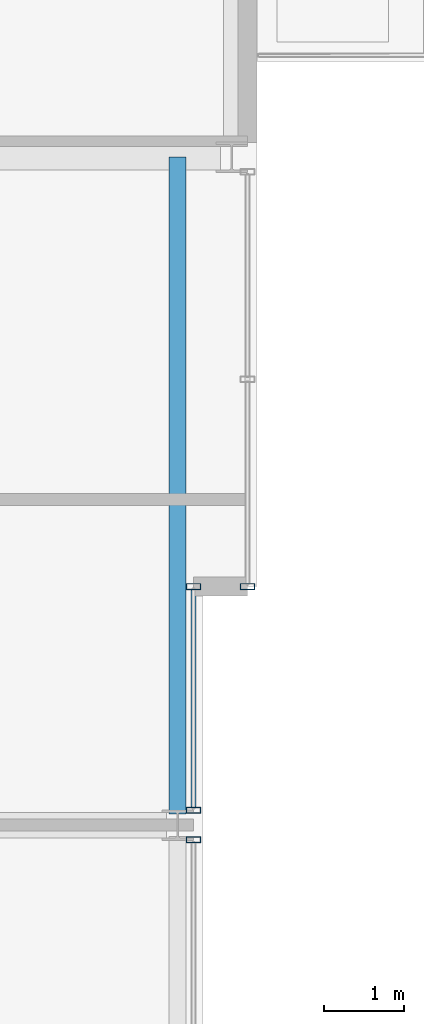
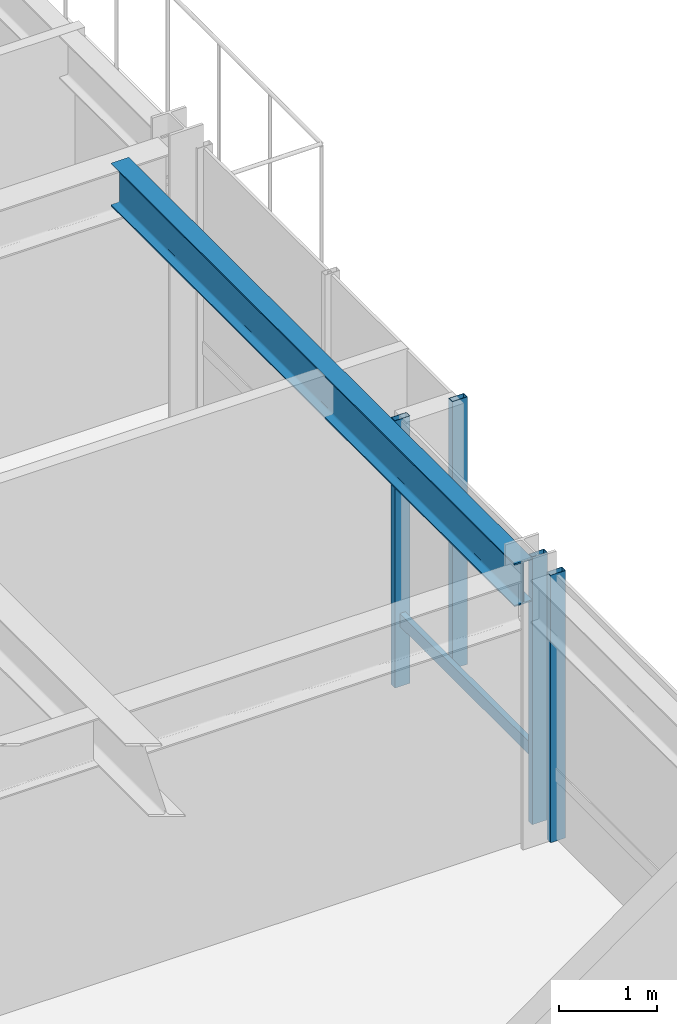
# One storey, part 17 of 34: 5 members, 1 beam, 3 elements without a shape of their own.
"""IFC4 building model written with IfcOpenShell, lengths in metres."""

import ifcopenshell
import ifcopenshell.guid

model = None  # the IFC model being written
_history = None  # IfcOwnerHistory: only IFC2X3 demands one
_inside = {}  # id of a spatial element -> (the spatial element, [elements in it])
_under = {}  # id of a project, library or spatial element -> (it, [spatial elements below it])
_declared = {}  # id of a project -> (the project, [libraries it declares])
_typed = {}  # id of a type object -> (the type object, [elements of that type])
_made_of = {}  # id of a material, layer set ... -> (it, [elements and type objects made of it])


def new_model(schema):
    """Start an empty IFC model of exactly this schema.

    Asked for "IFC4X3", IfcOpenShell would pick the latest addendum, in which some entities
    have other attributes; the version numbers below select the first issue.
    IFC2X3 requires an IfcOwnerHistory on every rooted entity: one is made here for all.
    """
    global model, _history
    if schema == "IFC4X3":
        model = ifcopenshell.file(schema_version=(4, 3, 0, 0))
    else:
        model = ifcopenshell.file(schema=schema)
    _inside.clear()
    _under.clear()
    _declared.clear()
    _typed.clear()
    _made_of.clear()
    _history = None
    if model.schema == "IFC2X3":
        org = make("IfcOrganization", Name="unknown")
        user = make(
            "IfcPersonAndOrganization",
            ThePerson=make("IfcPerson", FamilyName="unknown"),
            TheOrganization=org,
        )
        app = make(
            "IfcApplication",
            ApplicationDeveloper=org,
            Version="unknown",
            ApplicationFullName="unknown",
            ApplicationIdentifier="unknown",
        )
        _history = make(
            "IfcOwnerHistory",
            OwningUser=user,
            OwningApplication=app,
            ChangeAction="ADDED",
            CreationDate=0,
        )
    return model


def make(cls, **values):
    """One entity of the class cls with the attributes given. An attribute that is None is left unset."""
    return model.create_entity(
        cls, **{name: value for name, value in values.items() if value is not None}
    )


def rooted(cls, **values):
    """An entity with a GlobalId (a new one), such as an element, a storey or a relation."""
    return make(cls, GlobalId=ifcopenshell.guid.new(), OwnerHistory=_history, **values)


def si_unit(unit_type, name, prefix=None):
    """IfcSIUnit, for example si_unit("LENGTHUNIT", "METRE", prefix="MILLI")."""
    return make("IfcSIUnit", UnitType=unit_type, Prefix=prefix, Name=name)


def assignment(units):
    """IfcUnitAssignment: the units of a project."""
    return None if units is None else make("IfcUnitAssignment", Units=units)


def point(xyz):
    """IfcCartesianPoint."""
    return None if xyz is None else make("IfcCartesianPoint", Coordinates=xyz)


def direction(xyz):
    """IfcDirection."""
    return None if xyz is None else make("IfcDirection", DirectionRatios=xyz)


def frame(location, z_axis=None, x_axis=None):
    """IfcAxis2Placement3D, a coordinate frame: its origin and axes. An axis left out is left unset."""
    return make(
        "IfcAxis2Placement3D",
        Location=point(location),
        Axis=direction(z_axis),
        RefDirection=direction(x_axis),
    )


def frame_2d(location, x_axis=None):
    """IfcAxis2Placement2D, a coordinate frame in the plane: its origin and x axis."""
    return make(
        "IfcAxis2Placement2D", Location=point(location), RefDirection=direction(x_axis)
    )


def origin():
    """The frame at (0, 0, 0) with its axes left unset."""
    return frame((0.0, 0.0, 0.0))


def origin_2d():
    """The frame at (0, 0) in the plane with its x axis left unset."""
    return frame_2d((0.0, 0.0))


def place(relative_to, where):
    """IfcLocalPlacement: puts the frame where relative to a parent placement (None: the world)."""
    return make(
        "IfcLocalPlacement", PlacementRelTo=relative_to, RelativePlacement=where
    )


def context(
    kind, dimensions, precision=None, world=None, true_north=None, identifier=None
):
    """IfcGeometricRepresentationContext, for example the 3D "Model" context."""
    return make(
        "IfcGeometricRepresentationContext",
        ContextIdentifier=identifier,
        ContextType=kind,
        CoordinateSpaceDimension=dimensions,
        Precision=precision,
        WorldCoordinateSystem=world,
        TrueNorth=true_north,
    )


def subcontext(parent, identifier, kind, view, scale=None):
    """IfcGeometricRepresentationSubContext, for example "Body" below "Model"."""
    return make(
        "IfcGeometricRepresentationSubContext",
        ContextIdentifier=identifier,
        ContextType=kind,
        ParentContext=parent,
        TargetScale=scale,
        TargetView=view,
    )


def project(units=None, contexts=None):
    """IfcProject with its units and contexts."""
    return rooted(
        "IfcProject",
        Name="project",
        RepresentationContexts=contexts,
        UnitsInContext=assignment(units),
    )


def spatial(cls, under=None, at=None, **own):
    """A site, building, storey or space (cls), placed at a placement, below another one or the project."""
    s = rooted(cls, ObjectPlacement=at, **own)
    if under is not None:
        _under.setdefault(under.id(), (under, []))[1].append(s)
    return s


def profile(cls, at=None, kind="AREA", **sizes):
    """A parametric profile (cls). Its sizes go by their IFC names, for example OverallWidth=200.0."""
    return make(cls, ProfileType=kind, Position=at, **sizes)


def hollow_rectangle(**sizes):
    """IfcRectangleHollowProfileDef."""
    return profile("IfcRectangleHollowProfileDef", **sizes)


def i_section(**sizes):
    """IfcIShapeProfileDef."""
    return profile("IfcIShapeProfileDef", **sizes)


def extrude(swept, where, along, depth):
    """IfcExtrudedAreaSolid: the profile swept, set in the frame where, extruded along a direction by depth."""
    return make(
        "IfcExtrudedAreaSolid",
        SweptArea=swept,
        Position=where,
        ExtrudedDirection=direction(along),
        Depth=depth,
    )


def shape(context_of_items, identifier, shape_type, items):
    """IfcShapeRepresentation: the items that make up one representation, for example the "Body"."""
    return make(
        "IfcShapeRepresentation",
        ContextOfItems=context_of_items,
        RepresentationIdentifier=identifier,
        RepresentationType=shape_type,
        Items=items,
    )


def material(Name=None, Category=None):
    """IfcMaterial."""
    return make("IfcMaterial", Name=Name, Category=Category)


def layer(
    of_material, thickness, ventilated=None, Name=None, Category=None, Priority=None
):
    """IfcMaterialLayer: one layer of a wall or slab, of a material (None: an air gap)."""
    return make(
        "IfcMaterialLayer",
        Material=of_material,
        LayerThickness=thickness,
        IsVentilated=ventilated,
        Name=Name,
        Category=Category,
        Priority=Priority,
    )


def layer_set(layers, Name=None):
    """IfcMaterialLayerSet."""
    return make("IfcMaterialLayerSet", MaterialLayers=layers, LayerSetName=Name)


def material_profile(
    of_material, cross_section, Name=None, Category=None, Priority=None
):
    """IfcMaterialProfile: a cross section and its material."""
    return make(
        "IfcMaterialProfile",
        Name=Name,
        Material=of_material,
        Profile=cross_section,
        Priority=Priority,
        Category=Category,
    )


def profile_set(profiles, Name=None, composite=None):
    """IfcMaterialProfileSet."""
    return make(
        "IfcMaterialProfileSet",
        Name=Name,
        MaterialProfiles=profiles,
        CompositeProfile=composite,
    )


def made_of(thing, what):
    """Note that an element or type object is made of a material, layer set ...; save() writes the relation."""
    if what is not None:
        _made_of.setdefault(what.id(), (what, []))[1].append(thing)
    return thing


def type_object(cls, material=None, **own):
    """A type object (cls), such as IfcWallType, which elements share."""
    return made_of(rooted(cls, **own), material)


def element(
    cls,
    number,
    at=None,
    inside=None,
    cuts=None,
    type_object=None,
    material=None,
    context=None,
    identifier="Body",
    shape_type=None,
    held_by="IfcProductDefinitionShape",
    body=None,
    shapes=None,
    **own,
):
    """One element of the class cls, such as IfcWall. Its Tag is "e" and its number.

    at: its placement. inside: the storey or other place that contains it. cuts: it is an
    opening in that element (IfcRelVoidsElement). A single representation is given by context,
    identifier, shape_type and body (its items); several are given by shapes. held_by: the class
    of the entity that holds the representations. save() writes the other relations.
    """
    e = rooted(cls, Tag="e%d" % number, ObjectPlacement=at, **own)
    if body is not None:
        shapes = [shape(context, identifier, shape_type, body)]
    if shapes is not None:
        e.Representation = make(held_by, Representations=shapes)
    if inside is not None:
        _inside.setdefault(inside.id(), (inside, []))[1].append(e)
    if cuts is not None:
        rooted(
            "IfcRelVoidsElement", RelatingBuildingElement=cuts, RelatedOpeningElement=e
        )
    if type_object is not None:
        _typed.setdefault(type_object.id(), (type_object, []))[1].append(e)
    return made_of(e, material)


def aggregate(whole, parts):
    """IfcRelAggregates: a whole, such as a stair, and the parts it consists of."""
    return rooted("IfcRelAggregates", RelatingObject=whole, RelatedObjects=parts)


def save(model, path):
    """Write the relations noted so far, then the file.

    IfcRelAggregates (storeys below a building ...), IfcRelContainedInSpatialStructure (elements
    in a storey), IfcRelDefinesByType, IfcRelAssociatesMaterial and IfcRelDeclares: one each for
    every whole, place, type object, material and project.
    """
    for whole, parts in _under.values():
        aggregate(whole, parts)
    for where, things in _inside.values():
        rooted(
            "IfcRelContainedInSpatialStructure",
            RelatedElements=things,
            RelatingStructure=where,
        )
    for kind, things in _typed.values():
        rooted("IfcRelDefinesByType", RelatedObjects=things, RelatingType=kind)
    for what, things in _made_of.values():
        rooted("IfcRelAssociatesMaterial", RelatedObjects=things, RelatingMaterial=what)
    for by, libraries in _declared.values():
        rooted("IfcRelDeclares", RelatingContext=by, RelatedDefinitions=libraries)
    model.write(path)


model = new_model("IFC4")

# Units and contexts
model_context = context("Model", 3, precision=1e-05, world=origin(), true_north=direction((0.0, 1.0)))
body_context = subcontext(model_context, "Body", "Model", "MODEL_VIEW")
ifc_project = project(units=[si_unit("LENGTHUNIT", "METRE"), si_unit("AREAUNIT", "SQUARE_METRE"), si_unit("VOLUMEUNIT", "CUBIC_METRE"), si_unit("PLANEANGLEUNIT", "RADIAN"), si_unit("MASSUNIT", "GRAM", prefix="KILO")], contexts=[model_context])

# Site, building, storey
site_placement = place(None, origin())
site = spatial("IfcSite", under=ifc_project, at=site_placement, CompositionType="ELEMENT")
building_placement = place(site_placement, origin())
building = spatial("IfcBuilding", under=site, at=building_placement, Name="Drelvath Grand Hotel", CompositionType="ELEMENT")
storey_placement = place(building_placement, frame((0.0, 0.0, 208.699951171875)))
storey = spatial("IfcBuildingStorey", under=building, at=storey_placement, Name="L54", CompositionType="ELEMENT", Elevation=208.699951171875)

# Curtain wall, member
ifc_material_1 = material(Name="Platinum-Mist Anodised Aluminium Frame", Category="aluminium")
ifc_layer = layer(ifc_material_1, 0.199951171875)
ifc_layer_set = layer_set([ifc_layer], Name="Platinum-Mist Anodised Aluminium Frame")
curtain_wall_type = type_object("IfcCurtainWallType", Name="Stick Curtain Wall CW-05 Platinum Mist High-Rise", PredefinedType="NOTDEFINED", material=ifc_layer_set)
curtain_wall_1_placement = place(storey_placement, origin())
curtain_wall_1 = element("IfcCurtainWall", 1, at=curtain_wall_1_placement, inside=storey, type_object=curtain_wall_type, Name="L54 CW-05 Curtain Wall CW05-L54-EM2", PredefinedType="NOTDEFINED")
ifc_material_profile_1 = material_profile(ifc_material_1, hollow_rectangle(XDim=0.06494140625, YDim=0.159912109375, WallThickness=0.00390625, at=origin_2d()), Name="HSS160X65X4")
ifc_profile_set_1 = profile_set([ifc_material_profile_1], Name="Platinum-Mist Anodised Aluminium Frame")
member_type_1 = type_object("IfcMemberType", Name="Curtain Wall Horizontal Transom CW-05 HSS160X65X4", PredefinedType="USERDEFINED", material=ifc_profile_set_1)
member_1_placement = place(storey_placement, frame((21.39990234375, 29.9599609375, 0.8349609375), z_axis=(0.0, -1.0, 0.0), x_axis=(1.0, 0.0, 0.0)))
member_1 = element("IfcMember", 2, at=member_1_placement, type_object=member_type_1, Name="CW05-L54-EM2 Sill Transom", ObjectType="TRANSOM", PredefinedType="USERDEFINED", context=body_context, shape_type="SweptSolid", body=[
    extrude(hollow_rectangle(XDim=0.06494140625, YDim=0.159912109375, WallThickness=0.00390625, at=origin_2d()), origin(), (0.0, 0.0, 1.0), 2.734619140625),
])

curtain_wall_2_placement = place(storey_placement, origin())
curtain_wall_2 = element("IfcCurtainWall", 3, at=curtain_wall_2_placement, inside=storey, type_object=curtain_wall_type, Name="L54 CW-05 Curtain Wall CW05-L54-EN1", PredefinedType="NOTDEFINED")
ifc_material_profile_2 = material_profile(ifc_material_1, hollow_rectangle(XDim=0.074951171875, YDim=0.179931640625, WallThickness=0.0048828125, at=origin_2d()), Name="HSS180X75X5")
ifc_profile_set_2 = profile_set([ifc_material_profile_2], Name="Platinum-Mist Anodised Aluminium Frame")
member_type_2 = type_object("IfcMemberType", Name="Curtain Wall Vertical Mullion CW-05 HSS180X75X5", PredefinedType="MULLION", material=ifc_profile_set_2)
member_2_placement = place(storey_placement, frame((22.080078125, 30.0, 0.0), z_axis=(0.0, 0.0, 1.0), x_axis=(0.0, 1.0, 0.0)))
member_2 = element("IfcMember", 4, at=member_2_placement, type_object=member_type_2, Name="CW05-L54-EN1 Mullion 3", PredefinedType="MULLION", context=body_context, shape_type="SweptSolid", body=[
    extrude(hollow_rectangle(XDim=0.074951171875, YDim=0.179931640625, WallThickness=0.0048828125, at=origin_2d()), origin(), (0.0, 0.0, 1.0), 3.340087890625),
])
aggregate(curtain_wall_2, [member_2])

curtain_wall_3_placement = place(storey_placement, origin())
curtain_wall_3 = element("IfcCurtainWall", 5, at=curtain_wall_3_placement, inside=storey, type_object=curtain_wall_type, Name="L54 CW-05 Curtain Wall CW05-L54-EM1", PredefinedType="NOTDEFINED")
member_3_placement = place(storey_placement, frame((21.39990234375, 26.814697265625, 0.0), z_axis=(0.0, 0.0, 1.0), x_axis=(0.0, 1.0, 0.0)))
member_3 = element("IfcMember", 6, at=member_3_placement, type_object=member_type_2, Name="CW05-L54-EM1 Mullion 1", PredefinedType="MULLION", context=body_context, shape_type="SweptSolid", body=[
    extrude(hollow_rectangle(XDim=0.074951171875, YDim=0.179931640625, WallThickness=0.0048828125, at=origin_2d()), origin(), (0.0, 0.0, 1.0), 3.340087890625),
])
aggregate(curtain_wall_3, [member_3])

# Member
member_4_placement = place(storey_placement, frame((21.39990234375, 30.0, 0.0), z_axis=(0.0, 0.0, 1.0), x_axis=(0.0, 1.0, 0.0)))
member_4 = element("IfcMember", 7, at=member_4_placement, type_object=member_type_2, Name="CW05-L54-EM2 Mullion 1", PredefinedType="MULLION", context=body_context, shape_type="SweptSolid", body=[
    extrude(hollow_rectangle(XDim=0.074951171875, YDim=0.179931640625, WallThickness=0.0048828125, at=origin_2d()), origin(), (0.0, 0.0, 1.0), 3.340087890625),
])

member_5_placement = place(storey_placement, frame((21.39990234375, 27.185302734375, 0.0), z_axis=(0.0, 0.0, 1.0), x_axis=(0.0, 1.0, 0.0)))
member_5 = element("IfcMember", 8, at=member_5_placement, type_object=member_type_2, Name="CW05-L54-EM2 Mullion 2", PredefinedType="MULLION", context=body_context, shape_type="SweptSolid", body=[
    extrude(hollow_rectangle(XDim=0.074951171875, YDim=0.179931640625, WallThickness=0.0048828125, at=origin_2d()), origin(), (0.0, 0.0, 1.0), 3.340087890625),
])

aggregate(curtain_wall_1, [member_4, member_5, member_1])

# Beam
ifc_material_2 = material(Name="Steel ASTM A992 Gr 50", Category="steel")
ifc_material_profile_3 = material_profile(ifc_material_2, i_section(OverallWidth=0.210205078125, OverallDepth=0.53662109375, WebThickness=0.010986328125, FlangeThickness=0.017333984375, FilletRadius=0.01806640625, at=origin_2d()), Name="W21X68")
ifc_profile_set_3 = profile_set([ifc_material_profile_3], Name="Steel ASTM A992 Gr 50")
beam_type = type_object("IfcBeamType", Name="Perimeter Spandrel Beam W21X68", PredefinedType="SPANDREL", material=ifc_profile_set_3)
beam_placement = place(storey_placement, frame((21.199951171875, 27.139892578125, 3.071533203125), z_axis=(0.0, 1.0, 0.0), x_axis=(-1.0, 0.0, 0.0)))
element("IfcBeam", 9, at=beam_placement, inside=storey, type_object=beam_type, Name="L54 Spandrel East Mid N", PredefinedType="SPANDREL", context=body_context, shape_type="SweptSolid", body=[
    extrude(i_section(OverallWidth=0.210205078125, OverallDepth=0.53662109375, WebThickness=0.010986328125, FlangeThickness=0.017333984375, FilletRadius=0.01806640625, at=origin_2d()), origin(), (0.0, 0.0, 1.0), 8.260009765625),
])

save(model, "model.ifc")
